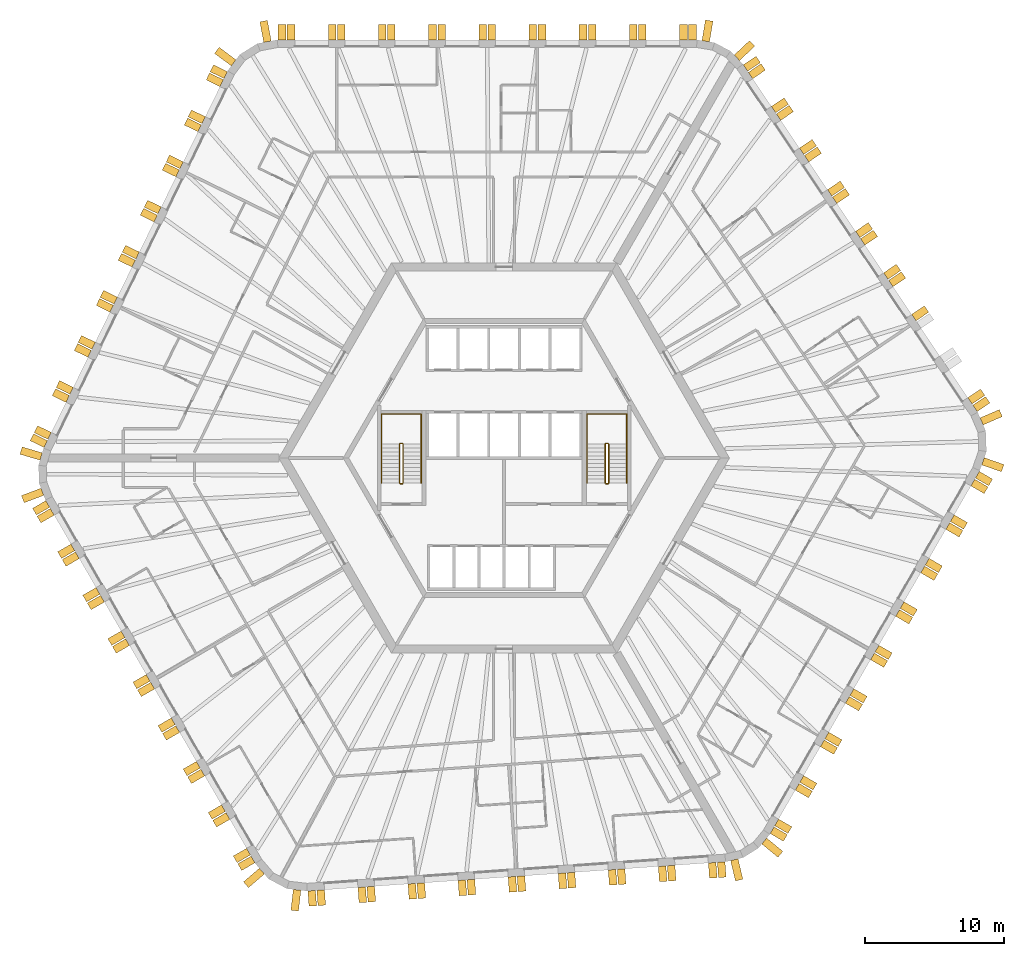
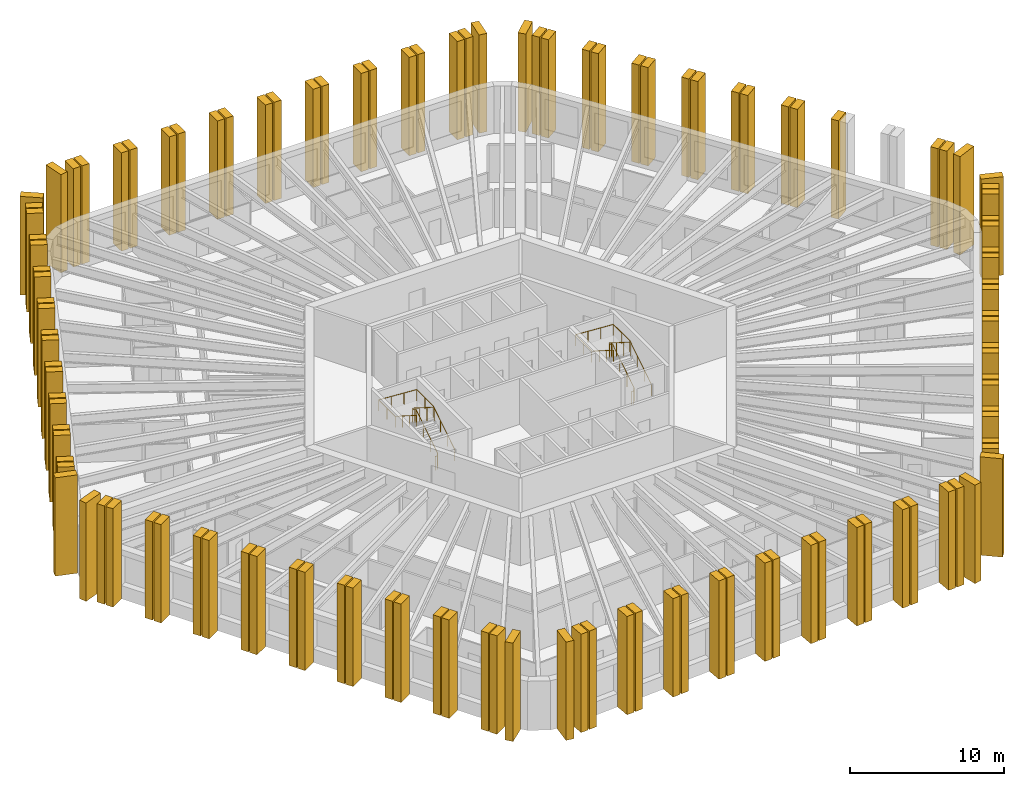
# One storey, part 11 of 12: 117 shading devices, 4 railings.
"""IFC4 building model written with IfcOpenShell, lengths in metres."""

from ifc_helpers import new_model, si_unit, direction, frame, origin, origin_2d, place, context, subcontext, project, spatial, polyline, circle, outline, extrude, material, layer, layer_set, type_object, element, save


model = new_model("IFC4")

# Units and contexts
model_context = context("Model", 3, precision=1e-05, world=origin(), true_north=direction((0.0, 1.0)))
body_context = subcontext(model_context, "Body", "Model", "MODEL_VIEW")
ifc_project = project(units=[si_unit("LENGTHUNIT", "METRE"), si_unit("AREAUNIT", "SQUARE_METRE"), si_unit("VOLUMEUNIT", "CUBIC_METRE"), si_unit("PLANEANGLEUNIT", "RADIAN"), si_unit("MASSUNIT", "GRAM", prefix="KILO")], contexts=[model_context])

# Site, building, storey
site_placement = place(None, origin())
site = spatial("IfcSite", under=ifc_project, at=site_placement, CompositionType="ELEMENT")
building_placement = place(site_placement, origin())
building = spatial("IfcBuilding", under=site, at=building_placement, Name="Tarnside Tower", CompositionType="ELEMENT")
storey_placement = place(building_placement, frame((0.0, 0.0, 60.89990234375)))
storey = spatial("IfcBuildingStorey", under=building, at=storey_placement, Name="L12", CompositionType="ELEMENT", Elevation=60.89990234375)

# Shading devices
ifc_material_1 = material(Name="Concrete C50/60 white precast", Category="concrete")
ifc_layer_1 = layer(ifc_material_1, 0.550048828125)
ifc_layer_set_1 = layer_set([ifc_layer_1], Name="Precast fin 550 x 1100")
shading_device_type_1 = type_object("IfcShadingDeviceType", Name="Precast fin 550 x 1100", PredefinedType="USERDEFINED", material=ifc_layer_set_1)
for number, where, z_axis, x_axis, name in (
    (1, (13.513916015625, 30.0, -0.14990234375), (1.0, 0.0, 0.0), (0.0, 1.0, 0.0), "Precast fin"),
    (2, (12.864013671875, 30.0, -0.14990234375), (1.0, 0.0, 0.0), (0.0, 1.0, 0.0), "Precast fin"),
    (3, (9.9140625, 30.0, -0.14990234375), (1.0, 0.0, 0.0), (0.0, 1.0, 0.0), "Precast fin"),
    (4, (9.263916015625, 30.0, -0.14990234375), (1.0, 0.0, 0.0), (0.0, 1.0, 0.0), "Precast fin"),
    (5, (6.31396484375, 30.0, -0.14990234375), (1.0, 0.0, 0.0), (0.0, 1.0, 0.0), "Precast fin"),
    (6, (5.6640625, 30.0, -0.14990234375), (1.0, 0.0, 0.0), (0.0, 1.0, 0.0), "Precast fin"),
    (7, (2.7138671875, 30.0, -0.14990234375), (1.0, 0.0, 0.0), (0.0, 1.0, 0.0), "Precast fin"),
    (8, (2.06396484375, 30.0, -0.14990234375), (1.0, 0.0, 0.0), (0.0, 1.0, 0.0), "Precast fin"),
    (9, (-0.885986328125, 30.0, -0.14990234375), (1.0, 0.0, 0.0), (0.0, 1.0, 0.0), "Precast fin"),
    (10, (-1.5361328125, 30.0, -0.14990234375), (1.0, 0.0, 0.0), (0.0, 1.0, 0.0), "Precast fin"),
    (11, (-4.486083984375, 30.0, -0.14990234375), (1.0, 0.0, 0.0), (0.0, 1.0, 0.0), "Precast fin"),
    (12, (-5.135986328125, 30.0, -0.14990234375), (1.0, 0.0, 0.0), (0.0, 1.0, 0.0), "Precast fin"),
    (13, (-8.0859375, 30.0, -0.14990234375), (1.0, 0.0, 0.0), (0.0, 1.0, 0.0), "Precast fin"),
    (14, (-8.736083984375, 30.0, -0.14990234375), (1.0, 0.0, 0.0), (0.0, 1.0, 0.0), "Precast fin"),
    (15, (-11.68603515625, 30.0, -0.14990234375), (1.0, 0.0, 0.0), (0.0, 1.0, 0.0), "Precast fin"),
    (16, (-12.3359375, 30.0, -0.14990234375), (1.0, 0.0, 0.0), (0.0, 1.0, 0.0), "Precast fin"),
    (17, (-15.2861328125, 30.0, -0.14990234375), (1.0, 0.0, 0.0), (0.0, 1.0, 0.0), "Precast fin"),
    (18, (-15.93603515625, 30.0, -0.14990234375), (1.0, 0.0, 0.0), (0.0, 1.0, 0.0), "Precast fin"),
    (19, (-19.977783203125, 27.474365234375, -0.14990234375), (0.438371146789, 0.898794046299, 0.0), (-0.898794046299, 0.438371146789, 0.0), "Precast fin"),
    (20, (-20.262939453125, 26.89013671875, -0.14990234375), (0.438371146789, 0.898794046299, 0.0), (-0.898794046299, 0.438371146789, 0.0), "Precast fin"),
    (21, (-21.555908203125, 24.23876953125, -0.14990234375), (0.438371146789, 0.898794046299, 0.0), (-0.898794046299, 0.438371146789, 0.0), "Precast fin"),
    (22, (-21.841064453125, 23.654541015625, -0.14990234375), (0.438371146789, 0.898794046299, 0.0), (-0.898794046299, 0.438371146789, 0.0), "Precast fin"),
    (23, (-23.13427734375, 21.003173828125, -0.14990234375), (0.438371146789, 0.898794046299, 0.0), (-0.898794046299, 0.438371146789, 0.0), "Precast fin"),
    (24, (-23.419189453125, 20.4189453125, -0.14990234375), (0.438371146789, 0.898794046299, 0.0), (-0.898794046299, 0.438371146789, 0.0), "Precast fin"),
    (25, (-24.71240234375, 17.767333984375, -0.14990234375), (0.438371146789, 0.898794046299, 0.0), (-0.898794046299, 0.438371146789, 0.0), "Precast fin"),
    (26, (-24.997314453125, 17.18310546875, -0.14990234375), (0.438371146789, 0.898794046299, 0.0), (-0.898794046299, 0.438371146789, 0.0), "Precast fin"),
    (27, (-26.29052734375, 14.53173828125, -0.14990234375), (0.438371146789, 0.898794046299, 0.0), (-0.898794046299, 0.438371146789, 0.0), "Precast fin"),
    (28, (-26.575439453125, 13.947509765625, -0.14990234375), (0.438371146789, 0.898794046299, 0.0), (-0.898794046299, 0.438371146789, 0.0), "Precast fin"),
    (29, (-27.86865234375, 11.296142578125, -0.14990234375), (0.438371146789, 0.898794046299, 0.0), (-0.898794046299, 0.438371146789, 0.0), "Precast fin"),
    (30, (-28.153564453125, 10.7119140625, -0.14990234375), (0.438371146789, 0.898794046299, 0.0), (-0.898794046299, 0.438371146789, 0.0), "Precast fin"),
    (31, (-29.44677734375, 8.060546875, -0.14990234375), (0.438371146789, 0.898794046299, 0.0), (-0.898794046299, 0.438371146789, 0.0), "Precast fin"),
    (32, (-29.731689453125, 7.476318359375, -0.14990234375), (0.438371146789, 0.898794046299, 0.0), (-0.898794046299, 0.438371146789, 0.0), "Precast fin"),
    (33, (-31.02490234375, 4.82470703125, -0.14990234375), (0.438371146789, 0.898794046299, 0.0), (-0.898794046299, 0.438371146789, 0.0), "Precast fin"),
    (34, (-31.309814453125, 4.240478515625, -0.14990234375), (0.438371146789, 0.898794046299, 0.0), (-0.898794046299, 0.438371146789, 0.0), "Precast fin"),
    (35, (-32.60302734375, 1.589111328125, -0.14990234375), (0.438371146789, 0.898794046299, 0.0), (-0.898794046299, 0.438371146789, 0.0), "Precast fin"),
    (36, (-32.887939453125, 1.0048828125, -0.14990234375), (0.438371146789, 0.898794046299, 0.0), (-0.898794046299, 0.438371146789, 0.0), "Precast fin"),
    (37, (-32.73779296875, -3.296630859375, -0.14990234375), (-0.5, 0.866025403784, 0.0), (-0.866025403784, -0.5, 0.0), "Precast fin"),
    (38, (-32.412841796875, -3.859375, -0.14990234375), (-0.5, 0.866025403784, 0.0), (-0.866025403784, -0.5, 0.0), "Precast fin"),
    (39, (-30.937744140625, -6.414306640625, -0.14990234375), (-0.5, 0.866025403784, 0.0), (-0.866025403784, -0.5, 0.0), "Precast fin"),
    (40, (-30.61279296875, -6.977294921875, -0.14990234375), (-0.5, 0.866025403784, 0.0), (-0.866025403784, -0.5, 0.0), "Precast fin"),
    (41, (-29.1376953125, -9.531982421875, -0.14990234375), (-0.5, 0.866025403784, 0.0), (-0.866025403784, -0.5, 0.0), "Precast fin"),
    (42, (-28.812744140625, -10.094970703125, -0.14990234375), (-0.5, 0.866025403784, 0.0), (-0.866025403784, -0.5, 0.0), "Precast fin"),
    (43, (-27.337646484375, -12.649658203125, -0.14990234375), (-0.5, 0.866025403784, 0.0), (-0.866025403784, -0.5, 0.0), "Precast fin"),
    (44, (-27.0126953125, -13.212646484375, -0.14990234375), (-0.5, 0.866025403784, 0.0), (-0.866025403784, -0.5, 0.0), "Precast fin"),
    (45, (-25.537841796875, -15.767333984375, -0.14990234375), (-0.5, 0.866025403784, 0.0), (-0.866025403784, -0.5, 0.0), "Precast fin"),
    (46, (-25.212646484375, -16.330322265625, -0.14990234375), (-0.5, 0.866025403784, 0.0), (-0.866025403784, -0.5, 0.0), "Precast fin"),
    (47, (-23.73779296875, -18.885009765625, -0.14990234375), (-0.5, 0.866025403784, 0.0), (-0.866025403784, -0.5, 0.0), "Precast fin"),
    (48, (-23.412841796875, -19.447998046875, -0.14990234375), (-0.5, 0.866025403784, 0.0), (-0.866025403784, -0.5, 0.0), "Precast fin"),
    (49, (-21.937744140625, -22.002685546875, -0.14990234375), (-0.5, 0.866025403784, 0.0), (-0.866025403784, -0.5, 0.0), "Precast fin"),
    (50, (-21.61279296875, -22.565673828125, -0.14990234375), (-0.5, 0.866025403784, 0.0), (-0.866025403784, -0.5, 0.0), "Precast fin"),
    (51, (-20.1376953125, -25.120361328125, -0.14990234375), (-0.5, 0.866025403784, 0.0), (-0.866025403784, -0.5, 0.0), "Precast fin"),
    (52, (-19.812744140625, -25.683349609375, -0.14990234375), (-0.5, 0.866025403784, 0.0), (-0.866025403784, -0.5, 0.0), "Precast fin"),
    (53, (-18.337646484375, -28.238037109375, -0.14990234375), (-0.5, 0.866025403784, 0.0), (-0.866025403784, -0.5, 0.0), "Precast fin"),
    (54, (-18.0126953125, -28.801025390625, -0.14990234375), (-0.5, 0.866025403784, 0.0), (-0.866025403784, -0.5, 0.0), "Precast fin"),
    (55, (-13.8046875, -31.03857421875, -0.14990234375), (-0.99756405026, -0.069756473744, 0.0), (0.069756473744, -0.99756405026, 0.0), "Precast fin"),
    (56, (-13.15625, -30.9931640625, -0.14990234375), (-0.99756405026, -0.069756473744, 0.0), (0.069756473744, -0.99756405026, 0.0), "Precast fin"),
    (57, (-10.21337890625, -30.787353515625, -0.14990234375), (-0.99756405026, -0.069756473744, 0.0), (0.069756473744, -0.99756405026, 0.0), "Precast fin"),
    (58, (-9.56494140625, -30.7421875, -0.14990234375), (-0.99756405026, -0.069756473744, 0.0), (0.069756473744, -0.99756405026, 0.0), "Precast fin"),
    (59, (-6.6220703125, -30.536376953125, -0.14990234375), (-0.99756405026, -0.069756473744, 0.0), (0.069756473744, -0.99756405026, 0.0), "Precast fin"),
    (60, (-5.9736328125, -30.490966796875, -0.14990234375), (-0.99756405026, -0.069756473744, 0.0), (0.069756473744, -0.99756405026, 0.0), "Precast fin"),
    (61, (-3.031005859375, -30.28515625, -0.14990234375), (-0.99756405026, -0.069756473744, 0.0), (0.069756473744, -0.99756405026, 0.0), "Precast fin"),
    (62, (-2.382568359375, -30.23974609375, -0.14990234375), (-0.99756405026, -0.069756473744, 0.0), (0.069756473744, -0.99756405026, 0.0), "Precast fin"),
    (63, (0.560302734375, -30.0341796875, -0.14990234375), (-0.99756405026, -0.069756473744, 0.0), (0.069756473744, -0.99756405026, 0.0), "Precast fin"),
    (64, (1.208740234375, -29.98876953125, -0.14990234375), (-0.99756405026, -0.069756473744, 0.0), (0.069756473744, -0.99756405026, 0.0), "Precast fin"),
    (65, (4.151611328125, -29.782958984375, -0.14990234375), (-0.99756405026, -0.069756473744, 0.0), (0.069756473744, -0.99756405026, 0.0), "Precast fin"),
    (66, (4.800048828125, -29.737548828125, -0.14990234375), (-0.99756405026, -0.069756473744, 0.0), (0.069756473744, -0.99756405026, 0.0), "Precast fin"),
    (67, (7.74267578125, -29.53173828125, -0.14990234375), (-0.99756405026, -0.069756473744, 0.0), (0.069756473744, -0.99756405026, 0.0), "Precast fin"),
    (68, (8.39111328125, -29.486572265625, -0.14990234375), (-0.99756405026, -0.069756473744, 0.0), (0.069756473744, -0.99756405026, 0.0), "Precast fin"),
    (69, (11.333984375, -29.28076171875, -0.14990234375), (-0.99756405026, -0.069756473744, 0.0), (0.069756473744, -0.99756405026, 0.0), "Precast fin"),
    (70, (11.982421875, -29.2353515625, -0.14990234375), (-0.99756405026, -0.069756473744, 0.0), (0.069756473744, -0.99756405026, 0.0), "Precast fin"),
    (71, (14.92529296875, -29.029541015625, -0.14990234375), (-0.99756405026, -0.069756473744, 0.0), (0.069756473744, -0.99756405026, 0.0), "Precast fin"),
    (72, (15.57373046875, -28.984130859375, -0.14990234375), (-0.99756405026, -0.069756473744, 0.0), (0.069756473744, -0.99756405026, 0.0), "Precast fin"),
    (73, (19.223876953125, -26.703369140625, -0.14990234375), (-0.5, -0.866025403784, 0.0), (0.866025403784, -0.5, 0.0), "Precast fin"),
    (74, (19.548828125, -26.140625, -0.14990234375), (-0.5, -0.866025403784, 0.0), (0.866025403784, -0.5, 0.0), "Precast fin"),
    (75, (21.023681640625, -23.585693359375, -0.14990234375), (-0.5, -0.866025403784, 0.0), (0.866025403784, -0.5, 0.0), "Precast fin"),
    (76, (21.348876953125, -23.022705078125, -0.14990234375), (-0.5, -0.866025403784, 0.0), (0.866025403784, -0.5, 0.0), "Precast fin"),
    (77, (22.82373046875, -20.468017578125, -0.14990234375), (-0.5, -0.866025403784, 0.0), (0.866025403784, -0.5, 0.0), "Precast fin"),
    (78, (23.148681640625, -19.905029296875, -0.14990234375), (-0.5, -0.866025403784, 0.0), (0.866025403784, -0.5, 0.0), "Precast fin"),
    (79, (24.623779296875, -17.350341796875, -0.14990234375), (-0.5, -0.866025403784, 0.0), (0.866025403784, -0.5, 0.0), "Precast fin"),
    (80, (24.94873046875, -16.787353515625, -0.14990234375), (-0.5, -0.866025403784, 0.0), (0.866025403784, -0.5, 0.0), "Precast fin"),
    (81, (26.423828125, -14.232666015625, -0.14990234375), (-0.5, -0.866025403784, 0.0), (0.866025403784, -0.5, 0.0), "Precast fin"),
    (82, (26.748779296875, -13.669677734375, -0.14990234375), (-0.5, -0.866025403784, 0.0), (0.866025403784, -0.5, 0.0), "Precast fin"),
    (83, (28.223876953125, -11.114990234375, -0.14990234375), (-0.5, -0.866025403784, 0.0), (0.866025403784, -0.5, 0.0), "Precast fin"),
    (84, (28.548828125, -10.552001953125, -0.14990234375), (-0.5, -0.866025403784, 0.0), (0.866025403784, -0.5, 0.0), "Precast fin"),
    (85, (30.023681640625, -7.997314453125, -0.14990234375), (-0.5, -0.866025403784, 0.0), (0.866025403784, -0.5, 0.0), "Precast fin"),
    (86, (30.348876953125, -7.434326171875, -0.14990234375), (-0.5, -0.866025403784, 0.0), (0.866025403784, -0.5, 0.0), "Precast fin"),
    (87, (31.82373046875, -4.879638671875, -0.14990234375), (-0.5, -0.866025403784, 0.0), (0.866025403784, -0.5, 0.0), "Precast fin"),
    (88, (32.148681640625, -4.316650390625, -0.14990234375), (-0.5, -0.866025403784, 0.0), (0.866025403784, -0.5, 0.0), "Precast fin"),
    (89, (33.623779296875, -1.761962890625, -0.14990234375), (-0.5, -0.866025403784, 0.0), (0.866025403784, -0.5, 0.0), "Precast fin"),
    (90, (33.94873046875, -1.198974609375, -0.14990234375), (-0.5, -0.866025403784, 0.0), (0.866025403784, -0.5, 0.0), "Precast fin"),
    (91, (33.782470703125, 3.564208984375, -0.14990234375), (0.559192903471, -0.829037572555, 0.0), (0.829037572555, 0.559192903471, 0.0), "Precast fin"),
    (92, (33.4189453125, 4.10302734375, -0.14990234375), (0.559192903471, -0.829037572555, 0.0), (0.829037572555, 0.559192903471, 0.0), "Precast fin"),
    (93, (29.392822265625, 10.072021484375, -0.14990234375), (0.559192903471, -0.829037572555, 0.0), (0.829037572555, 0.559192903471, 0.0), "Precast fin"),
    (94, (27.7431640625, 12.517822265625, -0.14990234375), (0.559192903471, -0.829037572555, 0.0), (0.829037572555, 0.559192903471, 0.0), "Precast fin"),
    (95, (27.379638671875, 13.056640625, -0.14990234375), (0.559192903471, -0.829037572555, 0.0), (0.829037572555, 0.559192903471, 0.0), "Precast fin"),
    (96, (25.730224609375, 15.502197265625, -0.14990234375), (0.559192903471, -0.829037572555, 0.0), (0.829037572555, 0.559192903471, 0.0), "Precast fin"),
    (97, (25.36669921875, 16.041259765625, -0.14990234375), (0.559192903471, -0.829037572555, 0.0), (0.829037572555, 0.559192903471, 0.0), "Precast fin"),
    (98, (23.717041015625, 18.48681640625, -0.14990234375), (0.559192903471, -0.829037572555, 0.0), (0.829037572555, 0.559192903471, 0.0), "Precast fin"),
    (99, (23.353515625, 19.025634765625, -0.14990234375), (0.559192903471, -0.829037572555, 0.0), (0.829037572555, 0.559192903471, 0.0), "Precast fin"),
    (100, (21.703857421875, 21.471435546875, -0.14990234375), (0.559192903471, -0.829037572555, 0.0), (0.829037572555, 0.559192903471, 0.0), "Precast fin"),
    (101, (21.34033203125, 22.01025390625, -0.14990234375), (0.559192903471, -0.829037572555, 0.0), (0.829037572555, 0.559192903471, 0.0), "Precast fin"),
    (102, (19.69091796875, 24.455810546875, -0.14990234375), (0.559192903471, -0.829037572555, 0.0), (0.829037572555, 0.559192903471, 0.0), "Precast fin"),
    (103, (19.327392578125, 24.994873046875, -0.14990234375), (0.559192903471, -0.829037572555, 0.0), (0.829037572555, 0.559192903471, 0.0), "Precast fin"),
    (104, (17.677734375, 27.4404296875, -0.14990234375), (0.559192903471, -0.829037572555, 0.0), (0.829037572555, 0.559192903471, 0.0), "Precast fin"),
    (105, (17.314208984375, 27.979248046875, -0.14990234375), (0.559192903471, -0.829037572555, 0.0), (0.829037572555, 0.559192903471, 0.0), "Precast fin"),
):
    element("IfcShadingDevice", number, at=place(storey_placement, frame(where, z_axis=z_axis, x_axis=x_axis)), inside=storey, type_object=shading_device_type_1, Name=name, ObjectType="FIN", PredefinedType="USERDEFINED", context=body_context, shape_type="SweptSolid", body=[
        extrude(outline(polyline([(0.0, 0.0), (1.10009765625, 0.0), (1.10009765625, 7.800048828125), (0.0, 7.800048828125), (0.0, 0.0)])), frame((0.0, 0.0, -0.27490234375)), (0.0, 0.0, 1.0), 0.550048828125),
    ])
ifc_layer_2 = layer(ifc_material_1, 0.550048828125)
ifc_layer_set_2 = layer_set([ifc_layer_2], Name="Precast fin 550 x 1500")
shading_device_type_2 = type_object("IfcShadingDeviceType", Name="Precast fin 550 x 1500", PredefinedType="USERDEFINED", material=ifc_layer_set_2)
for number, where, z_axis, x_axis, name in (
    (106, (-16.97509765625, 29.86767578125, -0.14990234375), (0.982720646705, 0.18509492305, 0.0), (-0.18509492305, 0.982720646705, 0.0), "Precast fin"),
    (107, (-19.403564453125, 28.35009765625, -0.14990234375), (0.597158591707, 0.802123192752, 0.0), (-0.802123192752, 0.597158591707, 0.0), "Precast fin"),
    (108, (-33.213623046875, 0.10546875, -0.14990234375), (0.286803232717, 0.957989512314, 0.0), (-0.957989512314, 0.286803232717, 0.0), "Precast fin"),
    (109, (-33.125244140625, -2.422119140625, -0.14990234375), (-0.352930564719, 0.935649515837, 0.0), (-0.935649515837, -0.352930564719, 0.0), "Precast fin"),
    (110, (-17.378662109375, -29.634765625, -0.14990234375), (-0.651657228826, 0.758513583345, 0.0), (-0.758513583345, -0.651657228826, 0.0), "Precast fin"),
    (111, (-14.850341796875, -30.97900390625, -0.14990234375), (-0.993238357741, 0.116092914131, 0.0), (-0.116092914131, -0.993238357741, 0.0), "Precast fin"),
    (112, (16.515625, -28.81640625, -0.14990234375), (-0.973044870581, -0.230615870737, 0.0), (0.230615870737, -0.973044870581, 0.0), "Precast fin"),
    (113, (18.66015625, -27.476318359375, -0.14990234375), (-0.633830967394, -0.773471592738, 0.0), (0.773471592738, -0.633830967394, 0.0), "Precast fin"),
    (114, (34.353759765625, -0.23291015625, -0.14990234375), (-0.331063417879, -0.943608506396, 0.0), (0.943608506396, -0.331063417879, 0.0), "Precast fin"),
    (115, (34.253662109375, 2.62890625, -0.14990234375), (0.396079766034, -0.918216106883, 0.0), (0.918216106883, 0.396079766034, 0.0), "Precast fin"),
    (116, (16.697998046875, 28.711181640625, -0.14990234375), (0.686241637865, -0.727373641577, 0.0), (0.727373641577, 0.686241637865, 0.0), "Precast fin"),
    (117, (14.465087890625, 29.8984375, -0.14990234375), (0.986761532114, -0.1621779231, 0.0), (0.1621779231, 0.986761532114, 0.0), "Precast fin"),
):
    element("IfcShadingDevice", number, at=place(storey_placement, frame(where, z_axis=z_axis, x_axis=x_axis)), inside=storey, type_object=shading_device_type_2, Name=name, ObjectType="FIN", PredefinedType="USERDEFINED", context=body_context, shape_type="SweptSolid", body=[
        extrude(outline(polyline([(0.0, 0.0), (1.5, 0.0), (1.5, 7.800048828125), (0.0, 7.800048828125), (0.0, 0.0)])), frame((0.0, 0.0, -0.27490234375)), (0.0, 0.0, 1.0), 0.550048828125),
    ])

# Railings
ifc_material_2 = material(Name="Stainless steel", Category="steel")
railing_type_1 = type_object("IfcRailingType", Name="Stair guard 1100", PredefinedType="GUARDRAIL", material=ifc_material_2)
railing_1_placement = place(storey_placement, frame((7.300048828125, -1.85009765625, 0.0)))
element("IfcRailing", 118, at=railing_1_placement, inside=storey, type_object=railing_type_1, Name="L12 ST1 stair guard 1", PredefinedType="GUARDRAIL", context=body_context, shape_type="SweptSolid", body=[
    extrude(circle(Radius=0.02392578125, at=origin_2d()), frame((0.0, 0.0, 1.076171875), z_axis=(1.0, 0.0, 0.0), x_axis=(0.0, 1.0, 0.0)), (0.0, 0.0, 1.0), 0.14990234375),
    extrude(circle(Radius=0.02392578125, at=origin_2d()), frame((0.14990234375, 0.0, 1.076171875), z_axis=(0.261922500866, 0.261922500866, 0.928866625022), x_axis=(-0.707106781187, 0.707106781187, 0.0)), (0.0, 0.0, 1.0), 0.191162109375),
    extrude(circle(Radius=0.02392578125, at=origin_2d()), frame((0.199951171875, 0.050048828125, 1.25341796875), z_axis=(0.0, 0.844908973607, 0.534910110503), x_axis=(-1.0, 0.0, 0.0)), (0.0, 0.0, 1.0), 3.31396484375),
    extrude(circle(Radius=0.02392578125, at=origin_2d()), frame((0.199951171875, 2.85009765625, 3.0263671875), z_axis=(-0.707106781187, 0.707106781187, 0.0), x_axis=(-0.707106781187, -0.707106781187, 0.0)), (0.0, 0.0, 1.0), 0.07080078125),
    extrude(circle(Radius=0.02392578125, at=origin_2d()), frame((0.14990234375, 2.900146484375, 3.0263671875), z_axis=(-1.0, 0.0, 0.0), x_axis=(0.0, -1.0, 0.0)), (0.0, 0.0, 1.0), 0.14990234375),
    extrude(circle(Radius=0.02392578125, at=origin_2d()), frame((0.0, 2.900146484375, 3.0263671875), z_axis=(-0.262233686654, -0.262233686654, 0.928691007369), x_axis=(0.707106781187, -0.707106781187, 0.0)), (0.0, 0.0, 1.0), 0.19091796875),
    extrude(circle(Radius=0.02392578125, at=origin_2d()), frame((-0.050048828125, 2.85009765625, 3.20361328125), z_axis=(0.0, -0.844908973607, 0.534910110503), x_axis=(1.0, 0.0, 0.0)), (0.0, 0.0, 1.0), 3.31396484375),
    extrude(circle(Radius=0.02099609375, at=origin_2d()), origin(), (0.0, 0.0, 1.0), 1.052001953125),
    extrude(circle(Radius=0.02099609375, at=origin_2d()), frame((0.14990234375, 0.0, 0.0)), (0.0, 0.0, 1.0), 1.052001953125),
    extrude(circle(Radius=0.02099609375, at=origin_2d()), frame((0.199951171875, 0.050048828125, 0.177490234375)), (0.0, 0.0, 1.0), 1.052001953125),
    extrude(circle(Radius=0.02099609375, at=origin_2d()), frame((0.199951171875, 0.9833984375, 0.768310546875)), (0.0, 0.0, 1.0), 1.052001953125),
    extrude(circle(Radius=0.02099609375, at=origin_2d()), frame((0.199951171875, 1.916748046875, 1.359375)), (0.0, 0.0, 1.0), 1.052001953125),
    extrude(circle(Radius=0.02099609375, at=origin_2d()), frame((0.199951171875, 2.85009765625, 1.9501953125)), (0.0, 0.0, 1.0), 1.052001953125),
    extrude(circle(Radius=0.02099609375, at=origin_2d()), frame((0.14990234375, 2.900146484375, 1.9501953125)), (0.0, 0.0, 1.0), 1.052001953125),
    extrude(circle(Radius=0.02099609375, at=origin_2d()), frame((0.0, 2.900146484375, 1.9501953125)), (0.0, 0.0, 1.0), 1.052001953125),
    extrude(circle(Radius=0.02099609375, at=origin_2d()), frame((-0.050048828125, 2.85009765625, 2.12744140625)), (0.0, 0.0, 1.0), 1.052001953125),
    extrude(circle(Radius=0.02099609375, at=origin_2d()), frame((-0.050048828125, 1.916748046875, 2.71826171875)), (0.0, 0.0, 1.0), 1.052001953125),
    extrude(circle(Radius=0.02099609375, at=origin_2d()), frame((-0.050048828125, 0.9833984375, 3.309326171875)), (0.0, 0.0, 1.0), 1.052001953125),
    extrude(circle(Radius=0.02099609375, at=origin_2d()), frame((-0.050048828125, 0.050048828125, 3.900146484375)), (0.0, 0.0, 1.0), 1.052001953125),
])
railing_2_placement = place(storey_placement, frame((-7.449951171875, -1.85009765625, 0.0)))
element("IfcRailing", 119, at=railing_2_placement, inside=storey, type_object=railing_type_1, Name="L12 ST2 stair guard 1", PredefinedType="GUARDRAIL", context=body_context, shape_type="SweptSolid", body=[
    extrude(circle(Radius=0.02392578125, at=origin_2d()), frame((0.0, 0.0, 1.076171875), z_axis=(1.0, 0.0, 0.0), x_axis=(0.0, 1.0, 0.0)), (0.0, 0.0, 1.0), 0.14990234375),
    extrude(circle(Radius=0.02392578125, at=origin_2d()), frame((0.14990234375, 0.0, 1.076171875), z_axis=(0.261922500866, 0.261922500866, 0.928866625022), x_axis=(-0.707106781187, 0.707106781187, 0.0)), (0.0, 0.0, 1.0), 0.191162109375),
    extrude(circle(Radius=0.02392578125, at=origin_2d()), frame((0.199951171875, 0.050048828125, 1.25341796875), z_axis=(0.0, 0.844908973607, 0.534910110503), x_axis=(-1.0, 0.0, 0.0)), (0.0, 0.0, 1.0), 3.31396484375),
    extrude(circle(Radius=0.02392578125, at=origin_2d()), frame((0.199951171875, 2.85009765625, 3.0263671875), z_axis=(-0.707106781187, 0.707106781187, 0.0), x_axis=(-0.707106781187, -0.707106781187, 0.0)), (0.0, 0.0, 1.0), 0.07080078125),
    extrude(circle(Radius=0.02392578125, at=origin_2d()), frame((0.14990234375, 2.900146484375, 3.0263671875), z_axis=(-1.0, 0.0, 0.0), x_axis=(0.0, -1.0, 0.0)), (0.0, 0.0, 1.0), 0.14990234375),
    extrude(circle(Radius=0.02392578125, at=origin_2d()), frame((0.0, 2.900146484375, 3.0263671875), z_axis=(-0.262233686654, -0.262233686654, 0.928691007369), x_axis=(0.707106781187, -0.707106781187, 0.0)), (0.0, 0.0, 1.0), 0.19091796875),
    extrude(circle(Radius=0.02392578125, at=origin_2d()), frame((-0.050048828125, 2.85009765625, 3.20361328125), z_axis=(0.0, -0.844908973607, 0.534910110503), x_axis=(1.0, 0.0, 0.0)), (0.0, 0.0, 1.0), 3.31396484375),
    extrude(circle(Radius=0.02099609375, at=origin_2d()), origin(), (0.0, 0.0, 1.0), 1.052001953125),
    extrude(circle(Radius=0.02099609375, at=origin_2d()), frame((0.14990234375, 0.0, 0.0)), (0.0, 0.0, 1.0), 1.052001953125),
    extrude(circle(Radius=0.02099609375, at=origin_2d()), frame((0.199951171875, 0.050048828125, 0.177490234375)), (0.0, 0.0, 1.0), 1.052001953125),
    extrude(circle(Radius=0.02099609375, at=origin_2d()), frame((0.199951171875, 0.9833984375, 0.768310546875)), (0.0, 0.0, 1.0), 1.052001953125),
    extrude(circle(Radius=0.02099609375, at=origin_2d()), frame((0.199951171875, 1.916748046875, 1.359375)), (0.0, 0.0, 1.0), 1.052001953125),
    extrude(circle(Radius=0.02099609375, at=origin_2d()), frame((0.199951171875, 2.85009765625, 1.9501953125)), (0.0, 0.0, 1.0), 1.052001953125),
    extrude(circle(Radius=0.02099609375, at=origin_2d()), frame((0.14990234375, 2.900146484375, 1.9501953125)), (0.0, 0.0, 1.0), 1.052001953125),
    extrude(circle(Radius=0.02099609375, at=origin_2d()), frame((0.0, 2.900146484375, 1.9501953125)), (0.0, 0.0, 1.0), 1.052001953125),
    extrude(circle(Radius=0.02099609375, at=origin_2d()), frame((-0.050048828125, 2.85009765625, 2.12744140625)), (0.0, 0.0, 1.0), 1.052001953125),
    extrude(circle(Radius=0.02099609375, at=origin_2d()), frame((-0.050048828125, 1.916748046875, 2.71826171875)), (0.0, 0.0, 1.0), 1.052001953125),
    extrude(circle(Radius=0.02099609375, at=origin_2d()), frame((-0.050048828125, 0.9833984375, 3.309326171875)), (0.0, 0.0, 1.0), 1.052001953125),
    extrude(circle(Radius=0.02099609375, at=origin_2d()), frame((-0.050048828125, 0.050048828125, 3.900146484375)), (0.0, 0.0, 1.0), 1.052001953125),
])
railing_type_2 = type_object("IfcRailingType", Name="Stair handrail 900", PredefinedType="HANDRAIL", material=ifc_material_2)
railing_3_placement = place(storey_placement, frame((8.800048828125, -1.800048828125, 0.177490234375)))
element("IfcRailing", 120, at=railing_3_placement, inside=storey, type_object=railing_type_2, Name="L12 ST1 stair handrail 1", PredefinedType="HANDRAIL", context=body_context, shape_type="SweptSolid", body=[
    extrude(circle(Radius=0.02392578125, at=origin_2d()), frame((0.0, 0.0, 0.8857421875), z_axis=(0.0, 0.844908973607, 0.534910110503), x_axis=(-1.0, 0.0, 0.0)), (0.0, 0.0, 1.0), 3.31396484375),
    extrude(circle(Radius=0.02392578125, at=origin_2d()), frame((0.0, 2.800048828125, 2.65869140625), z_axis=(0.0, 1.0, 0.0), x_axis=(-1.0, 0.0, 0.0)), (0.0, 0.0, 1.0), 2.14990234375),
    extrude(circle(Radius=0.02392578125, at=origin_2d()), frame((0.0, 4.949951171875, 2.65869140625), z_axis=(-0.998071825391, 0.0, 0.06206956872), x_axis=(0.0, -1.0, 0.0)), (0.0, 0.0, 1.0), 2.855712890625),
    extrude(circle(Radius=0.02392578125, at=origin_2d()), frame((-2.85009765625, 4.949951171875, 2.8359375), z_axis=(0.0, -1.0, 0.0), x_axis=(1.0, 0.0, 0.0)), (0.0, 0.0, 1.0), 2.14990234375),
    extrude(circle(Radius=0.02392578125, at=origin_2d()), frame((-2.85009765625, 2.800048828125, 2.8359375), z_axis=(0.0, -0.844908973607, 0.534910110503), x_axis=(1.0, 0.0, 0.0)), (0.0, 0.0, 1.0), 3.31396484375),
    extrude(circle(Radius=0.02099609375, at=origin_2d()), origin(), (0.0, 0.0, 1.0), 0.86181640625),
    extrude(circle(Radius=0.02099609375, at=origin_2d()), frame((0.0, 0.933349609375, 0.5908203125)), (0.0, 0.0, 1.0), 0.86181640625),
    extrude(circle(Radius=0.02099609375, at=origin_2d()), frame((0.0, 1.86669921875, 1.181884765625)), (0.0, 0.0, 1.0), 0.86181640625),
    extrude(circle(Radius=0.02099609375, at=origin_2d()), frame((0.0, 2.800048828125, 1.772705078125)), (0.0, 0.0, 1.0), 0.86181640625),
    extrude(circle(Radius=0.02099609375, at=origin_2d()), frame((0.0, 3.875, 1.772705078125)), (0.0, 0.0, 1.0), 0.86181640625),
    extrude(circle(Radius=0.02099609375, at=origin_2d()), frame((0.0, 4.949951171875, 1.772705078125)), (0.0, 0.0, 1.0), 0.86181640625),
    extrude(circle(Radius=0.02099609375, at=origin_2d()), frame((-0.949951171875, 4.949951171875, 1.831787109375)), (0.0, 0.0, 1.0), 0.86181640625),
    extrude(circle(Radius=0.02099609375, at=origin_2d()), frame((-1.900146484375, 4.949951171875, 1.890869140625)), (0.0, 0.0, 1.0), 0.86181640625),
    extrude(circle(Radius=0.02099609375, at=origin_2d()), frame((-2.85009765625, 4.949951171875, 1.949951171875)), (0.0, 0.0, 1.0), 0.86181640625),
    extrude(circle(Radius=0.02099609375, at=origin_2d()), frame((-2.85009765625, 3.875, 1.949951171875)), (0.0, 0.0, 1.0), 0.86181640625),
    extrude(circle(Radius=0.02099609375, at=origin_2d()), frame((-2.85009765625, 2.800048828125, 1.949951171875)), (0.0, 0.0, 1.0), 0.86181640625),
    extrude(circle(Radius=0.02099609375, at=origin_2d()), frame((-2.85009765625, 1.86669921875, 2.540771484375)), (0.0, 0.0, 1.0), 0.86181640625),
    extrude(circle(Radius=0.02099609375, at=origin_2d()), frame((-2.85009765625, 0.933349609375, 3.1318359375)), (0.0, 0.0, 1.0), 0.86181640625),
    extrude(circle(Radius=0.02099609375, at=origin_2d()), frame((-2.85009765625, 0.0, 3.72265625)), (0.0, 0.0, 1.0), 0.86181640625),
])
railing_4_placement = place(storey_placement, frame((-5.949951171875, -1.800048828125, 0.177490234375)))
element("IfcRailing", 121, at=railing_4_placement, inside=storey, type_object=railing_type_2, Name="L12 ST2 stair handrail 1", PredefinedType="HANDRAIL", context=body_context, shape_type="SweptSolid", body=[
    extrude(circle(Radius=0.02392578125, at=origin_2d()), frame((0.0, 0.0, 0.8857421875), z_axis=(0.0, 0.844908973607, 0.534910110503), x_axis=(-1.0, 0.0, 0.0)), (0.0, 0.0, 1.0), 3.31396484375),
    extrude(circle(Radius=0.02392578125, at=origin_2d()), frame((0.0, 2.800048828125, 2.65869140625), z_axis=(0.0, 1.0, 0.0), x_axis=(-1.0, 0.0, 0.0)), (0.0, 0.0, 1.0), 2.14990234375),
    extrude(circle(Radius=0.02392578125, at=origin_2d()), frame((0.0, 4.949951171875, 2.65869140625), z_axis=(-0.998071825391, 0.0, 0.06206956872), x_axis=(0.0, -1.0, 0.0)), (0.0, 0.0, 1.0), 2.855712890625),
    extrude(circle(Radius=0.02392578125, at=origin_2d()), frame((-2.85009765625, 4.949951171875, 2.8359375), z_axis=(0.0, -1.0, 0.0), x_axis=(1.0, 0.0, 0.0)), (0.0, 0.0, 1.0), 2.14990234375),
    extrude(circle(Radius=0.02392578125, at=origin_2d()), frame((-2.85009765625, 2.800048828125, 2.8359375), z_axis=(0.0, -0.844908973607, 0.534910110503), x_axis=(1.0, 0.0, 0.0)), (0.0, 0.0, 1.0), 3.31396484375),
    extrude(circle(Radius=0.02099609375, at=origin_2d()), origin(), (0.0, 0.0, 1.0), 0.86181640625),
    extrude(circle(Radius=0.02099609375, at=origin_2d()), frame((0.0, 0.933349609375, 0.5908203125)), (0.0, 0.0, 1.0), 0.86181640625),
    extrude(circle(Radius=0.02099609375, at=origin_2d()), frame((0.0, 1.86669921875, 1.181884765625)), (0.0, 0.0, 1.0), 0.86181640625),
    extrude(circle(Radius=0.02099609375, at=origin_2d()), frame((0.0, 2.800048828125, 1.772705078125)), (0.0, 0.0, 1.0), 0.86181640625),
    extrude(circle(Radius=0.02099609375, at=origin_2d()), frame((0.0, 3.875, 1.772705078125)), (0.0, 0.0, 1.0), 0.86181640625),
    extrude(circle(Radius=0.02099609375, at=origin_2d()), frame((0.0, 4.949951171875, 1.772705078125)), (0.0, 0.0, 1.0), 0.86181640625),
    extrude(circle(Radius=0.02099609375, at=origin_2d()), frame((-0.949951171875, 4.949951171875, 1.831787109375)), (0.0, 0.0, 1.0), 0.86181640625),
    extrude(circle(Radius=0.02099609375, at=origin_2d()), frame((-1.900146484375, 4.949951171875, 1.890869140625)), (0.0, 0.0, 1.0), 0.86181640625),
    extrude(circle(Radius=0.02099609375, at=origin_2d()), frame((-2.85009765625, 4.949951171875, 1.949951171875)), (0.0, 0.0, 1.0), 0.86181640625),
    extrude(circle(Radius=0.02099609375, at=origin_2d()), frame((-2.85009765625, 3.875, 1.949951171875)), (0.0, 0.0, 1.0), 0.86181640625),
    extrude(circle(Radius=0.02099609375, at=origin_2d()), frame((-2.85009765625, 2.800048828125, 1.949951171875)), (0.0, 0.0, 1.0), 0.86181640625),
    extrude(circle(Radius=0.02099609375, at=origin_2d()), frame((-2.85009765625, 1.86669921875, 2.540771484375)), (0.0, 0.0, 1.0), 0.86181640625),
    extrude(circle(Radius=0.02099609375, at=origin_2d()), frame((-2.85009765625, 0.933349609375, 3.1318359375)), (0.0, 0.0, 1.0), 0.86181640625),
    extrude(circle(Radius=0.02099609375, at=origin_2d()), frame((-2.85009765625, 0.0, 3.72265625)), (0.0, 0.0, 1.0), 0.86181640625),
])

save(model, "model.ifc")
